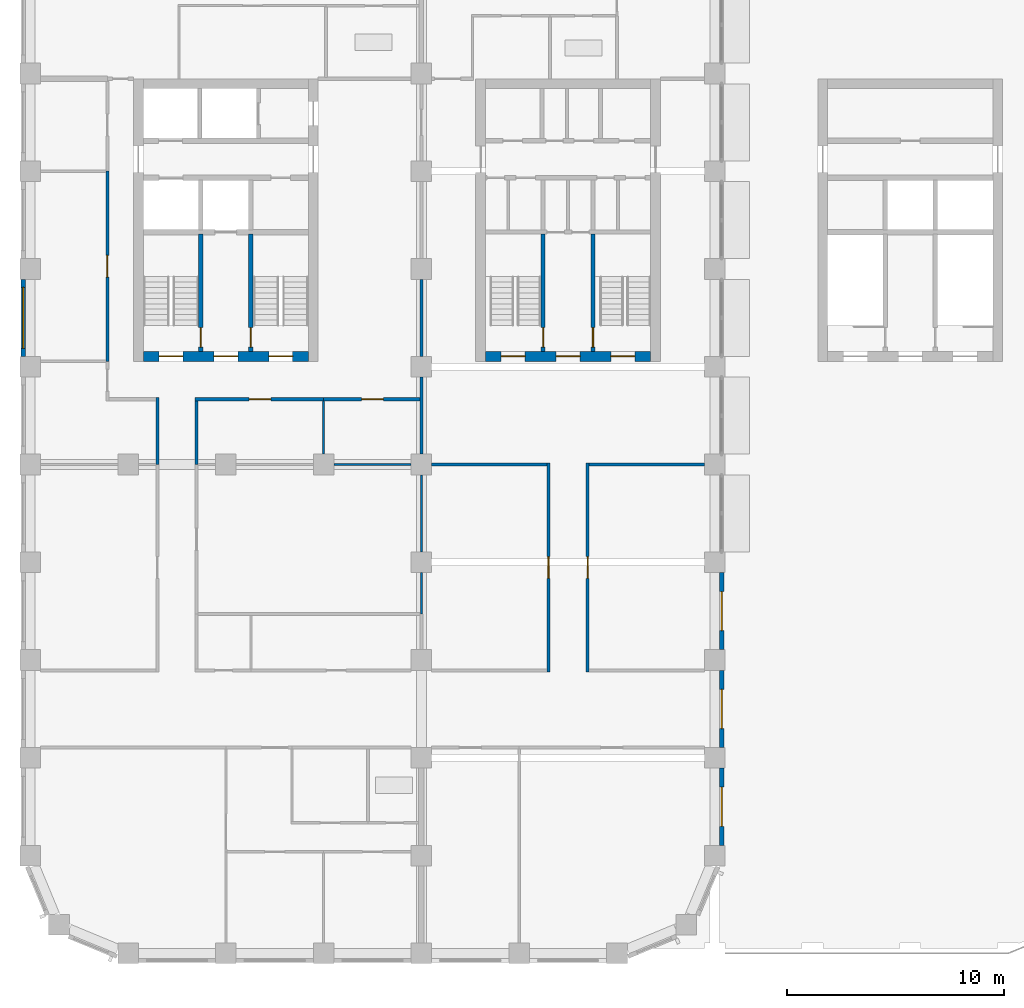
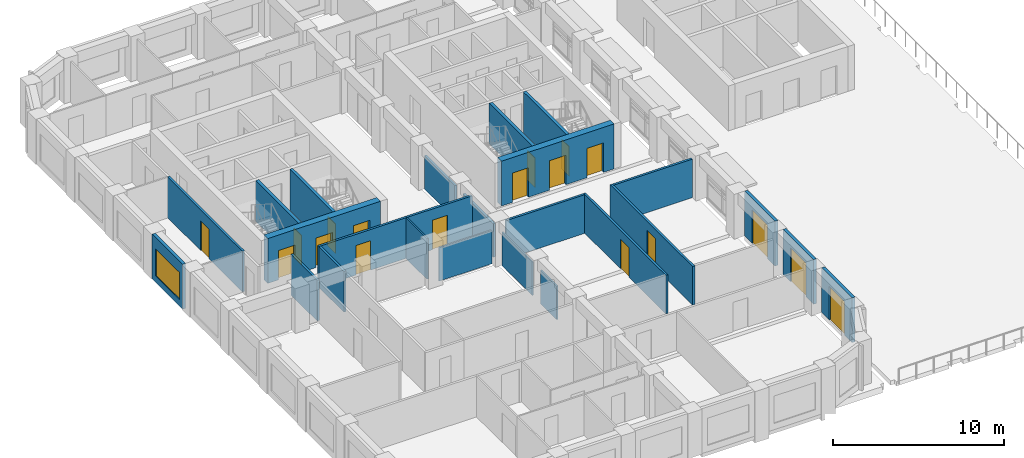
# One storey, part 8 of 15: 25 walls, 18 doors, 1 window, 19 openings.
"""IFC4 building model written with IfcOpenShell, lengths in metres."""

from ifc_helpers import new_model, si_unit, direction, frame, frame_2d, origin, place, context, subcontext, project, spatial, rectangle, extrude, material, layer, layer_set, type_object, element, fill, save


model = new_model("IFC4")

# Units and contexts
model_context = context("Model", 3, precision=1e-05, world=origin(), true_north=direction((0.0, 1.0)))
body_context = subcontext(model_context, "Body", "Model", "MODEL_VIEW")
ifc_project = project(units=[si_unit("LENGTHUNIT", "METRE"), si_unit("AREAUNIT", "SQUARE_METRE"), si_unit("VOLUMEUNIT", "CUBIC_METRE"), si_unit("PLANEANGLEUNIT", "RADIAN"), si_unit("MASSUNIT", "GRAM", prefix="KILO")], contexts=[model_context])

# Site, building, storey
site_placement = place(None, origin())
site = spatial("IfcSite", under=ifc_project, at=site_placement, CompositionType="ELEMENT")
building_placement = place(site_placement, origin())
building = spatial("IfcBuilding", under=site, at=building_placement, Name="Girih Gate Residences", CompositionType="ELEMENT")
storey_placement = place(building_placement, frame((0.0, 0.0, 176.300048828125)))
storey = spatial("IfcBuildingStorey", under=building, at=storey_placement, Name="L48", CompositionType="ELEMENT", Elevation=176.300048828125)

# Walls
ifc_material_1 = material(Name="Gypsum board on steel studs", Category="steel")
ifc_layer_1 = layer(ifc_material_1, 0.14990234375)
ifc_layer_set_1 = layer_set([ifc_layer_1], Name="Compartment wall 150 mm")
wall_type_1 = type_object("IfcWallType", Name="Compartment wall 150 mm", PredefinedType="PARTITIONING", material=ifc_layer_set_1)
for number, where, z_axis, x_axis, name in (
    (1, (18.47509765625, 22.5, 0.0), (0.0, 0.0, 1.0), (1.0, 0.0, 0.0), "L48 partition"),
    (2, (25.72509765625, 22.5, 0.0), (0.0, 0.0, 1.0), (1.0, 0.0, 0.0), "L48 partition"),
):
    element("IfcWall", number, at=place(storey_placement, frame(where, z_axis=z_axis, x_axis=x_axis)), inside=storey, type_object=wall_type_1, Name=name, PredefinedType="PARTITIONING", context=body_context, shape_type="SweptSolid", body=[
        extrude(rectangle(XDim=5.2998046875, YDim=0.14990234375, at=frame_2d((2.64990234375, 0.0))), origin(), (0.0, 0.0, 1.0), 2.75),
    ])
for number, where, z_axis, x_axis, name in (
    (3, (18.0, 27.47509765625, 0.0), (0.0, 0.0, 1.0), (0.0, 1.0, 0.0), "L48 partition"),
    (4, (18.0, 22.97509765625, 0.0), (0.0, 0.0, 1.0), (0.0, 1.0, 0.0), "L48 partition"),
):
    element("IfcWall", number, at=place(storey_placement, frame(where, z_axis=z_axis, x_axis=x_axis)), inside=storey, type_object=wall_type_1, Name=name, PredefinedType="PARTITIONING", context=body_context, shape_type="SweptSolid", body=[
        extrude(rectangle(XDim=3.5498046875, YDim=0.14990234375, at=frame_2d((1.77490234375, 0.0))), origin(), (0.0, 0.0, 1.0), 2.3798828125),
    ])

# Wall, opening, door
wall_1_placement = place(storey_placement, frame((23.85009765625, 12.949951171875, 0.0), z_axis=(0.0, 0.0, 1.0), x_axis=(0.0, 1.0, 0.0)))
wall_1 = element("IfcWall", 5, at=wall_1_placement, inside=storey, type_object=wall_type_1, Name="L48 partition", PredefinedType="PARTITIONING", context=body_context, shape_type="SweptSolid", body=[
    extrude(rectangle(XDim=9.625, YDim=0.14990234375, at=frame_2d((4.8125, 0.0))), origin(), (0.0, 0.0, 1.0), 2.75),
])
opening_1_placement = place(wall_1_placement, frame((4.3125, 0.0, 0.0)))
opening_1 = element("IfcOpeningElement", 6, at=opening_1_placement, cuts=wall_1, Name="Opening A48-024", PredefinedType="OPENING", context=body_context, shape_type="SweptSolid", body=[
    extrude(rectangle(XDim=1.0, YDim=2.10009765625, at=frame_2d((0.5, 1.050048828125))), frame((0.0, 0.0849609375, 0.0), z_axis=(0.0, -1.0, 0.0), x_axis=(1.0, 0.0, 0.0)), (0.0, 0.0, 1.0), 0.169921875),
])
ifc_material_2 = material(Name="Timber, fire-rated core", Category="wood")
door_type_1 = type_object("IfcDoorType", Name="Amenity room door 1000x2100 FD30S", OperationType="NOTDEFINED", PredefinedType="DOOR", material=ifc_material_2)
door_1_placement = place(opening_1_placement, origin())
door_1 = element("IfcDoor", 7, at=door_1_placement, inside=storey, type_object=door_type_1, Name="Door A48-024", OperationType="SINGLE_SWING_RIGHT", OverallHeight=2.10009765625, OverallWidth=1.0, PredefinedType="DOOR", context=body_context, shape_type="SweptSolid", body=[
    extrude(rectangle(XDim=1.0, YDim=2.10009765625, at=frame_2d((0.5, 1.050048828125))), frame((0.0, 0.02490234375, 0.0), z_axis=(0.0, -1.0, 0.0), x_axis=(1.0, 0.0, 0.0)), (0.0, 0.0, 1.0), 0.050048828125),
])
fill(opening_1, door_1)

wall_2_placement = place(storey_placement, frame((25.64990234375, 22.574951171875, 0.0), z_axis=(0.0, 0.0, 1.0), x_axis=(0.0, -1.0, 0.0)))
wall_2 = element("IfcWall", 8, at=wall_2_placement, inside=storey, type_object=wall_type_1, Name="L48 partition", PredefinedType="PARTITIONING", context=body_context, shape_type="SweptSolid", body=[
    extrude(rectangle(XDim=9.625, YDim=0.14990234375, at=frame_2d((4.8125, 0.0))), origin(), (0.0, 0.0, 1.0), 2.75),
])
opening_2_placement = place(wall_2_placement, frame((4.3125, 0.0, 0.0)))
opening_2 = element("IfcOpeningElement", 9, at=opening_2_placement, cuts=wall_2, Name="Opening A48-025", PredefinedType="OPENING", context=body_context, shape_type="SweptSolid", body=[
    extrude(rectangle(XDim=1.0, YDim=2.10009765625, at=frame_2d((0.5, 1.050048828125))), frame((0.0, 0.0849609375, 0.0), z_axis=(0.0, -1.0, 0.0), x_axis=(1.0, 0.0, 0.0)), (0.0, 0.0, 1.0), 0.169921875),
])
door_2_placement = place(opening_2_placement, origin())
door_2 = element("IfcDoor", 10, at=door_2_placement, inside=storey, type_object=door_type_1, Name="Door A48-025", OperationType="SINGLE_SWING_RIGHT", OverallHeight=2.10009765625, OverallWidth=1.0, PredefinedType="DOOR", context=body_context, shape_type="SweptSolid", body=[
    extrude(rectangle(XDim=1.0, YDim=2.10009765625, at=frame_2d((0.5, 1.050048828125))), frame((0.0, 0.02490234375, 0.0), z_axis=(0.0, -1.0, 0.0), x_axis=(1.0, 0.0, 0.0)), (0.0, 0.0, 1.0), 0.050048828125),
])
fill(opening_2, door_2)

# Wall
wall_3_placement = place(storey_placement, frame((5.85009765625, 22.5, 0.0), z_axis=(0.0, 0.0, 1.0), x_axis=(0.0, 1.0, 0.0)))
element("IfcWall", 11, at=wall_3_placement, inside=storey, type_object=wall_type_1, Name="L48 partition", PredefinedType="PARTITIONING", context=body_context, shape_type="SweptSolid", body=[
    extrude(rectangle(XDim=3.074951171875, YDim=0.14990234375, at=frame_2d((1.53759765625, 0.0))), origin(), (0.0, 0.0, 1.0), 2.89990234375),
])

# Wall, opening, door
wall_4_placement = place(storey_placement, frame((13.5, 25.5, 0.0), z_axis=(0.0, 0.0, 1.0), x_axis=(-1.0, 0.0, 0.0)))
wall_4 = element("IfcWall", 12, at=wall_4_placement, inside=storey, type_object=wall_type_1, Name="L48 partition", PredefinedType="PARTITIONING", context=body_context, shape_type="SweptSolid", body=[
    extrude(rectangle(XDim=5.925048828125, YDim=0.14990234375, at=frame_2d((2.96240234375, 0.0))), origin(), (0.0, 0.0, 1.0), 2.89990234375),
])
opening_3_placement = place(wall_4_placement, frame((2.425048828125, 0.0, 0.0)))
opening_3 = element("IfcOpeningElement", 13, at=opening_3_placement, cuts=wall_4, Name="Opening A48-029", PredefinedType="OPENING", context=body_context, shape_type="SweptSolid", body=[
    extrude(rectangle(XDim=1.0, YDim=2.10009765625, at=frame_2d((0.5, 1.050048828125))), frame((0.0, 0.0849609375, 0.0), z_axis=(0.0, -1.0, 0.0), x_axis=(1.0, 0.0, 0.0)), (0.0, 0.0, 1.0), 0.169921875),
])
door_3_placement = place(opening_3_placement, origin())
door_3 = element("IfcDoor", 14, at=door_3_placement, inside=storey, type_object=door_type_1, Name="Door A48-029", OperationType="SINGLE_SWING_LEFT", OverallHeight=2.10009765625, OverallWidth=1.0, PredefinedType="DOOR", context=body_context, shape_type="SweptSolid", body=[
    extrude(rectangle(XDim=1.0, YDim=2.10009765625, at=frame_2d((0.5, 1.050048828125))), frame((0.0, 0.02490234375, 0.0), z_axis=(0.0, -1.0, 0.0), x_axis=(1.0, 0.0, 0.0)), (0.0, 0.0, 1.0), 0.050048828125),
])
fill(opening_3, door_3)

# Wall
wall_5_placement = place(storey_placement, frame((7.64990234375, 22.5, 0.0), z_axis=(0.0, 0.0, 1.0), x_axis=(0.0, 1.0, 0.0)))
element("IfcWall", 15, at=wall_5_placement, inside=storey, type_object=wall_type_1, Name="L48 partition", PredefinedType="PARTITIONING", context=body_context, shape_type="SweptSolid", body=[
    extrude(rectangle(XDim=2.925048828125, YDim=0.14990234375, at=frame_2d((1.46240234375, 0.0))), origin(), (0.0, 0.0, 1.0), 2.89990234375),
])

# Wall, opening, door
wall_6_placement = place(storey_placement, frame((17.925048828125, 25.5, 0.0), z_axis=(0.0, 0.0, 1.0), x_axis=(-1.0, 0.0, 0.0)))
wall_6 = element("IfcWall", 16, at=wall_6_placement, inside=storey, type_object=wall_type_1, Name="L48 partition", PredefinedType="PARTITIONING", context=body_context, shape_type="SweptSolid", body=[
    extrude(rectangle(XDim=4.425048828125, YDim=0.14990234375, at=frame_2d((2.21240234375, 0.0))), origin(), (0.0, 0.0, 1.0), 2.89990234375),
])
opening_4_placement = place(wall_6_placement, frame((1.675048828125, 0.0, 0.0)))
opening_4 = element("IfcOpeningElement", 17, at=opening_4_placement, cuts=wall_6, Name="Opening A48-030", PredefinedType="OPENING", context=body_context, shape_type="SweptSolid", body=[
    extrude(rectangle(XDim=1.0, YDim=2.10009765625, at=frame_2d((0.5, 1.050048828125))), frame((0.0, 0.0849609375, 0.0), z_axis=(0.0, -1.0, 0.0), x_axis=(1.0, 0.0, 0.0)), (0.0, 0.0, 1.0), 0.169921875),
])
door_4_placement = place(opening_4_placement, origin())
door_4 = element("IfcDoor", 18, at=door_4_placement, inside=storey, type_object=door_type_1, Name="Door A48-030", OperationType="SINGLE_SWING_LEFT", OverallHeight=2.10009765625, OverallWidth=1.0, PredefinedType="DOOR", context=body_context, shape_type="SweptSolid", body=[
    extrude(rectangle(XDim=1.0, YDim=2.10009765625, at=frame_2d((0.5, 1.050048828125))), frame((0.0, 0.02490234375, 0.0), z_axis=(0.0, -1.0, 0.0), x_axis=(1.0, 0.0, 0.0)), (0.0, 0.0, 1.0), 0.050048828125),
])
fill(opening_4, door_4)

wall_7_placement = place(storey_placement, frame((3.550048828125, 27.25, 0.0), z_axis=(0.0, 0.0, 1.0), x_axis=(0.0, 1.0, 0.0)))
wall_7 = element("IfcWall", 19, at=wall_7_placement, inside=storey, type_object=wall_type_1, Name="L48 partition", PredefinedType="PARTITIONING", context=body_context, shape_type="SweptSolid", body=[
    extrude(rectangle(XDim=8.75, YDim=0.14990234375, at=frame_2d((4.375, 0.0))), origin(), (0.0, 0.0, 1.0), 2.89990234375),
])
opening_5_placement = place(wall_7_placement, frame((3.875, 0.0, 0.0)))
opening_5 = element("IfcOpeningElement", 20, at=opening_5_placement, cuts=wall_7, Name="Opening A48-031", PredefinedType="OPENING", context=body_context, shape_type="SweptSolid", body=[
    extrude(rectangle(XDim=1.0, YDim=2.10009765625, at=frame_2d((0.5, 1.050048828125))), frame((0.0, 0.0849609375, 0.0), z_axis=(0.0, -1.0, 0.0), x_axis=(1.0, 0.0, 0.0)), (0.0, 0.0, 1.0), 0.169921875),
])
door_5_placement = place(opening_5_placement, origin())
door_5 = element("IfcDoor", 21, at=door_5_placement, inside=storey, type_object=door_type_1, Name="Door A48-031", OperationType="SINGLE_SWING_RIGHT", OverallHeight=2.10009765625, OverallWidth=1.0, PredefinedType="DOOR", context=body_context, shape_type="SweptSolid", body=[
    extrude(rectangle(XDim=1.0, YDim=2.10009765625, at=frame_2d((0.5, 1.050048828125))), frame((0.0, 0.02490234375, 0.0), z_axis=(0.0, -1.0, 0.0), x_axis=(1.0, 0.0, 0.0)), (0.0, 0.0, 1.0), 0.050048828125),
])
fill(opening_5, door_5)

# Wall, openings, doors
ifc_material_3 = material(Name="Concrete C60/75", Category="concrete")
ifc_layer_2 = layer(ifc_material_3, 0.449951171875)
ifc_layer_set_2 = layer_set([ifc_layer_2], Name="Core wall RC 450 Concrete C60/75")
wall_type_2 = type_object("IfcWallType", Name="Core wall RC 450 Concrete C60/75", PredefinedType="SOLIDWALL", material=ifc_layer_set_2)
wall_8_placement = place(storey_placement, frame((5.199951171875, 27.47509765625, 0.0), z_axis=(0.0, 0.0, 1.0), x_axis=(1.0, 0.0, 0.0)))
wall_8 = element("IfcWall", 22, at=wall_8_placement, inside=storey, type_object=wall_type_2, Name="Core wall W-S L48", PredefinedType="SOLIDWALL", context=body_context, shape_type="SweptSolid", body=[
    extrude(rectangle(XDim=7.60009765625, YDim=0.449951171875, at=frame_2d((3.800048828125, 0.0))), origin(), (0.0, 0.0, 1.0), 3.199951171875),
])
opening_6_placement = place(wall_8_placement, frame((0.72509765625, 0.0, 0.0)))
opening_6 = element("IfcOpeningElement", 23, at=opening_6_placement, cuts=wall_8, Name="Opening D-L48-W-008", PredefinedType="OPENING", context=body_context, shape_type="SweptSolid", body=[
    extrude(rectangle(XDim=1.10009765625, YDim=2.10009765625, at=frame_2d((0.550048828125, 1.050048828125))), frame((0.0, 0.23486328125, 0.0), z_axis=(0.0, -1.0, 0.0), x_axis=(1.0, 0.0, 0.0)), (0.0, 0.0, 1.0), 0.469970703125),
])
opening_7_placement = place(wall_8_placement, frame((3.25, 0.0, 0.0)))
opening_7 = element("IfcOpeningElement", 24, at=opening_7_placement, cuts=wall_8, Name="Opening D-L48-W-009", PredefinedType="OPENING", context=body_context, shape_type="SweptSolid", body=[
    extrude(rectangle(XDim=1.10009765625, YDim=2.10009765625, at=frame_2d((0.550048828125, 1.050048828125))), frame((0.0, 0.23486328125, 0.0), z_axis=(0.0, -1.0, 0.0), x_axis=(1.0, 0.0, 0.0)), (0.0, 0.0, 1.0), 0.469970703125),
])
opening_8_placement = place(wall_8_placement, frame((5.77490234375, 0.0, 0.0)))
opening_8 = element("IfcOpeningElement", 25, at=opening_8_placement, cuts=wall_8, Name="Opening D-L48-W-010", PredefinedType="OPENING", context=body_context, shape_type="SweptSolid", body=[
    extrude(rectangle(XDim=1.10009765625, YDim=2.10009765625, at=frame_2d((0.550048828125, 1.050048828125))), frame((0.0, 0.23486328125, 0.0), z_axis=(0.0, -1.0, 0.0), x_axis=(1.0, 0.0, 0.0)), (0.0, 0.0, 1.0), 0.469970703125),
])
ifc_material_4 = material(Name="Painted steel, fire-resisting", Category="steel")
door_type_2 = type_object("IfcDoorType", Name="Fire door 1100x2100", OperationType="SINGLE_SWING_LEFT", PredefinedType="DOOR", material=ifc_material_4)
door_6_placement = place(opening_6_placement, origin())
door_6 = element("IfcDoor", 26, at=door_6_placement, inside=storey, type_object=door_type_2, Name="L48 W core door sta-out", OperationType="SINGLE_SWING_LEFT", OverallHeight=2.10009765625, OverallWidth=1.10009765625, PredefinedType="DOOR", context=body_context, shape_type="SweptSolid", body=[
    extrude(rectangle(XDim=1.10009765625, YDim=2.10009765625, at=frame_2d((0.550048828125, 1.050048828125))), frame((0.0, 0.02490234375, 0.0), z_axis=(0.0, -1.0, 0.0), x_axis=(1.0, 0.0, 0.0)), (0.0, 0.0, 1.0), 0.050048828125),
])
fill(opening_6, door_6)
door_7_placement = place(opening_7_placement, origin())
door_7 = element("IfcDoor", 27, at=door_7_placement, inside=storey, type_object=door_type_2, Name="L48 W core door ffl-out", OperationType="SINGLE_SWING_LEFT", OverallHeight=2.10009765625, OverallWidth=1.10009765625, PredefinedType="DOOR", context=body_context, shape_type="SweptSolid", body=[
    extrude(rectangle(XDim=1.10009765625, YDim=2.10009765625, at=frame_2d((0.550048828125, 1.050048828125))), frame((0.0, 0.02490234375, 0.0), z_axis=(0.0, -1.0, 0.0), x_axis=(1.0, 0.0, 0.0)), (0.0, 0.0, 1.0), 0.050048828125),
])
fill(opening_7, door_7)
door_8_placement = place(opening_8_placement, origin())
door_8 = element("IfcDoor", 28, at=door_8_placement, inside=storey, type_object=door_type_2, Name="L48 W core door stb-out", OperationType="SINGLE_SWING_LEFT", OverallHeight=2.10009765625, OverallWidth=1.10009765625, PredefinedType="DOOR", context=body_context, shape_type="SweptSolid", body=[
    extrude(rectangle(XDim=1.10009765625, YDim=2.10009765625, at=frame_2d((0.550048828125, 1.050048828125))), frame((0.0, 0.02490234375, 0.0), z_axis=(0.0, -1.0, 0.0), x_axis=(1.0, 0.0, 0.0)), (0.0, 0.0, 1.0), 0.050048828125),
])
fill(opening_8, door_8)

# Walls
ifc_layer_3 = layer(ifc_material_1, 0.10009765625)
ifc_layer_set_3 = layer_set([ifc_layer_3], Name="Partition 100 mm")
wall_type_3 = type_object("IfcWallType", Name="Partition 100 mm", PredefinedType="PARTITIONING", material=ifc_layer_set_3)
wall_9_placement = place(storey_placement, frame((18.0, 18.47509765625, 0.0), z_axis=(0.0, 0.0, 1.0), x_axis=(0.0, 1.0, 0.0)))
element("IfcWall", 29, at=wall_9_placement, inside=storey, type_object=wall_type_3, Name="L48 partition", PredefinedType="PARTITIONING", context=body_context, shape_type="SweptSolid", body=[
    extrude(rectangle(XDim=3.5498046875, YDim=0.10009765625, at=frame_2d((1.77490234375, 0.0))), origin(), (0.0, 0.0, 1.0), 2.3798828125),
])
wall_10_placement = place(storey_placement, frame((18.0, 15.625, 0.0), z_axis=(0.0, 0.0, 1.0), x_axis=(0.0, 1.0, 0.0)))
element("IfcWall", 30, at=wall_10_placement, inside=storey, type_object=wall_type_3, Name="L48 partition", PredefinedType="PARTITIONING", context=body_context, shape_type="SweptSolid", body=[
    extrude(rectangle(XDim=1.89990234375, YDim=0.10009765625, at=frame_2d((0.949951171875, 0.0))), origin(), (0.0, 0.0, 1.0), 2.3798828125),
])
wall_11_placement = place(storey_placement, frame((13.97509765625, 22.5, 0.0), z_axis=(0.0, 0.0, 1.0), x_axis=(1.0, 0.0, 0.0)))
element("IfcWall", 31, at=wall_11_placement, inside=storey, type_object=wall_type_3, Name="L48 partition", PredefinedType="PARTITIONING", context=body_context, shape_type="SweptSolid", body=[
    extrude(rectangle(XDim=3.5498046875, YDim=0.10009765625, at=frame_2d((1.77490234375, 0.0))), origin(), (0.0, 0.0, 1.0), 2.3798828125),
])
wall_12_placement = place(storey_placement, frame((13.5, 22.97509765625, 0.0), z_axis=(0.0, 0.0, 1.0), x_axis=(0.0, 1.0, 0.0)))
element("IfcWall", 32, at=wall_12_placement, inside=storey, type_object=wall_type_3, Name="L48 partition", PredefinedType="PARTITIONING", context=body_context, shape_type="SweptSolid", body=[
    extrude(rectangle(XDim=2.449951171875, YDim=0.10009765625, at=frame_2d((1.22509765625, 0.0))), origin(), (0.0, 0.0, 1.0), 2.89990234375),
])

# Wall, opening, door
ifc_material_5 = material(Name="Precast concrete C50/60", Category="concrete")
ifc_layer_4 = layer(ifc_material_5, 0.06005859375, Name="Outer leaf")
ifc_material_6 = material(Name="Rigid PIR insulation")
ifc_layer_5 = layer(ifc_material_6, 0.090087890625, Name="Insulation")
ifc_material_7 = material(Name="Precast concrete C40/50", Category="concrete")
ifc_layer_6 = layer(ifc_material_7, 0.050048828125, Name="Inner leaf")
ifc_layer_set_4 = layer_set([ifc_layer_4, ifc_layer_5, ifc_layer_6], Name="Precast concrete C50/60 external wall 200")
wall_type_4 = type_object("IfcWallType", Name="Precast concrete C50/60 external wall 200", PredefinedType="SOLIDWALL", material=ifc_layer_set_4)
wall_13_placement = place(storey_placement, frame((31.824951171875, 8.52490234375, 0.0), z_axis=(0.0, 0.0, 1.0), x_axis=(0.0, -1.0, 0.0)))
wall_13 = element("IfcWall", 33, at=wall_13_placement, inside=storey, type_object=wall_type_4, Name="External wall E0315_0045.0", PredefinedType="SOLIDWALL", context=body_context, shape_type="SweptSolid", body=[
    extrude(rectangle(XDim=3.5498046875, YDim=0.199951171875, at=frame_2d((1.77490234375, 0.0))), origin(), (0.0, 0.0, 1.0), 3.199951171875),
])
opening_9_placement = place(wall_13_placement, frame((0.875, 0.0, 0.0)))
opening_9 = element("IfcOpeningElement", 34, at=opening_9_placement, cuts=wall_13, Name="Opening TD-1", PredefinedType="OPENING", context=body_context, shape_type="SweptSolid", body=[
    extrude(rectangle(XDim=1.800048828125, YDim=2.39990234375, at=frame_2d((0.89990234375, 1.199951171875))), frame((0.0, 0.10986328125, 0.0), z_axis=(0.0, -1.0, 0.0), x_axis=(1.0, 0.0, 0.0)), (0.0, 0.0, 1.0), 0.219970703125),
])
ifc_material_8 = material(Name="Aluminium and glass terrace door", Category="aluminium")
door_type_3 = type_object("IfcDoorType", Name="Terrace door pair 1800x2400", OperationType="DOUBLE_DOOR_SINGLE_SWING", PredefinedType="DOOR", material=ifc_material_8)
door_9_placement = place(opening_9_placement, origin())
door_9 = element("IfcDoor", 35, at=door_9_placement, inside=storey, type_object=door_type_3, Name="Terrace door E0315_0045.0", OperationType="DOUBLE_DOOR_SINGLE_SWING", OverallHeight=2.39990234375, OverallWidth=1.800048828125, PredefinedType="DOOR", context=body_context, shape_type="SweptSolid", body=[
    extrude(rectangle(XDim=1.800048828125, YDim=2.39990234375, at=frame_2d((0.89990234375, 1.199951171875))), frame((0.0, 0.02490234375, 0.0), z_axis=(0.0, -1.0, 0.0), x_axis=(1.0, 0.0, 0.0)), (0.0, 0.0, 1.0), 0.050048828125),
])
fill(opening_9, door_9)

wall_14_placement = place(storey_placement, frame((31.824951171875, 13.02490234375, 0.0), z_axis=(0.0, 0.0, 1.0), x_axis=(0.0, -1.0, 0.0)))
wall_14 = element("IfcWall", 36, at=wall_14_placement, inside=storey, type_object=wall_type_4, Name="External wall E0315_0045.1", PredefinedType="SOLIDWALL", context=body_context, shape_type="SweptSolid", body=[
    extrude(rectangle(XDim=3.5498046875, YDim=0.199951171875, at=frame_2d((1.77490234375, 0.0))), origin(), (0.0, 0.0, 1.0), 3.199951171875),
])
opening_10_placement = place(wall_14_placement, frame((0.875, 0.0, 0.0)))
opening_10 = element("IfcOpeningElement", 37, at=opening_10_placement, cuts=wall_14, Name="Opening TD-1", PredefinedType="OPENING", context=body_context, shape_type="SweptSolid", body=[
    extrude(rectangle(XDim=1.800048828125, YDim=2.39990234375, at=frame_2d((0.89990234375, 1.199951171875))), frame((0.0, 0.10986328125, 0.0), z_axis=(0.0, -1.0, 0.0), x_axis=(1.0, 0.0, 0.0)), (0.0, 0.0, 1.0), 0.219970703125),
])
door_10_placement = place(opening_10_placement, origin())
door_10 = element("IfcDoor", 38, at=door_10_placement, inside=storey, type_object=door_type_3, Name="Terrace door E0315_0045.1", OperationType="DOUBLE_DOOR_SINGLE_SWING", OverallHeight=2.39990234375, OverallWidth=1.800048828125, PredefinedType="DOOR", context=body_context, shape_type="SweptSolid", body=[
    extrude(rectangle(XDim=1.800048828125, YDim=2.39990234375, at=frame_2d((0.89990234375, 1.199951171875))), frame((0.0, 0.02490234375, 0.0), z_axis=(0.0, -1.0, 0.0), x_axis=(1.0, 0.0, 0.0)), (0.0, 0.0, 1.0), 0.050048828125),
])
fill(opening_10, door_10)

wall_15_placement = place(storey_placement, frame((31.824951171875, 17.52490234375, 0.0), z_axis=(0.0, 0.0, 1.0), x_axis=(0.0, -1.0, 0.0)))
wall_15 = element("IfcWall", 39, at=wall_15_placement, inside=storey, type_object=wall_type_4, Name="External wall E0315_0045.2", PredefinedType="SOLIDWALL", context=body_context, shape_type="SweptSolid", body=[
    extrude(rectangle(XDim=3.5498046875, YDim=0.199951171875, at=frame_2d((1.77490234375, 0.0))), origin(), (0.0, 0.0, 1.0), 3.199951171875),
])
opening_11_placement = place(wall_15_placement, frame((0.875, 0.0, 0.0)))
opening_11 = element("IfcOpeningElement", 40, at=opening_11_placement, cuts=wall_15, Name="Opening TD-1", PredefinedType="OPENING", context=body_context, shape_type="SweptSolid", body=[
    extrude(rectangle(XDim=1.800048828125, YDim=2.39990234375, at=frame_2d((0.89990234375, 1.199951171875))), frame((0.0, 0.10986328125, 0.0), z_axis=(0.0, -1.0, 0.0), x_axis=(1.0, 0.0, 0.0)), (0.0, 0.0, 1.0), 0.219970703125),
])
door_11_placement = place(opening_11_placement, origin())
door_11 = element("IfcDoor", 41, at=door_11_placement, inside=storey, type_object=door_type_3, Name="Terrace door E0315_0045.2", OperationType="DOUBLE_DOOR_SINGLE_SWING", OverallHeight=2.39990234375, OverallWidth=1.800048828125, PredefinedType="DOOR", context=body_context, shape_type="SweptSolid", body=[
    extrude(rectangle(XDim=1.800048828125, YDim=2.39990234375, at=frame_2d((0.89990234375, 1.199951171875))), frame((0.0, 0.02490234375, 0.0), z_axis=(0.0, -1.0, 0.0), x_axis=(1.0, 0.0, 0.0)), (0.0, 0.0, 1.0), 0.050048828125),
])
fill(opening_11, door_11)

# Wall, opening, window
wall_16_placement = place(storey_placement, frame((-0.324951171875, 27.47509765625, 0.0), z_axis=(0.0, 0.0, 1.0), x_axis=(0.0, 1.0, 0.0)))
wall_16 = element("IfcWall", 42, at=wall_16_placement, inside=storey, type_object=wall_type_4, Name="External wall W0000_0450.3", PredefinedType="SOLIDWALL", context=body_context, shape_type="SweptSolid", body=[
    extrude(rectangle(XDim=3.5498046875, YDim=0.199951171875, at=frame_2d((1.77490234375, 0.0))), origin(), (0.0, 0.0, 1.0), 3.199951171875),
])
opening_12_placement = place(wall_16_placement, frame((0.375, 0.0, 0.449951171875)))
opening_12 = element("IfcOpeningElement", 43, at=opening_12_placement, cuts=wall_16, Name="Opening W-1B", PredefinedType="OPENING", context=body_context, shape_type="SweptSolid", body=[
    extrude(rectangle(XDim=2.800048828125, YDim=1.949951171875, at=frame_2d((1.39990234375, 0.97509765625))), frame((0.0, 0.10986328125, 0.0), z_axis=(0.0, -1.0, 0.0), x_axis=(1.0, 0.0, 0.0)), (0.0, 0.0, 1.0), 0.219970703125),
])
ifc_material_9 = material(Name="Double glazing in aluminium frame", Category="aluminium")
window_type = type_object("IfcWindowType", Name="Window W-1B 2800x1950", PartitioningType="SINGLE_PANEL", PredefinedType="WINDOW", material=ifc_material_9)
window_placement = place(opening_12_placement, origin())
window = element("IfcWindow", 44, at=window_placement, inside=storey, type_object=window_type, Name="Window W-1B W0000_0450.3", OverallHeight=1.949951171875, OverallWidth=2.800048828125, PartitioningType="SINGLE_PANEL", PredefinedType="WINDOW", context=body_context, shape_type="SweptSolid", body=[
    extrude(rectangle(XDim=2.800048828125, YDim=1.949951171875, at=frame_2d((1.39990234375, 0.97509765625))), frame((0.0, 0.030029296875, 0.0), z_axis=(0.0, -1.0, 0.0), x_axis=(1.0, 0.0, 0.0)), (0.0, 0.0, 1.0), 0.06005859375),
])
fill(opening_12, window)

# Wall, opening, door
ifc_material_10 = material(Name="Concrete C40/50", Category="concrete")
ifc_layer_7 = layer(ifc_material_10, 0.199951171875)
ifc_layer_set_5 = layer_set([ifc_layer_7], Name="Shaft wall 200")
wall_type_5 = type_object("IfcWallType", Name="Shaft wall 200", PredefinedType="SOLIDWALL", material=ifc_layer_set_5)
wall_17_placement = place(storey_placement, frame((7.85009765625, 27.699951171875, 0.0), z_axis=(0.0, 0.0, 1.0), x_axis=(0.0, 1.0, 0.0)))
wall_17 = element("IfcWall", 45, at=wall_17_placement, inside=storey, type_object=wall_type_5, Name="L48 W core wall V1a", PredefinedType="SOLIDWALL", context=body_context, shape_type="SweptSolid", body=[
    extrude(rectangle(XDim=5.400146484375, YDim=0.199951171875, at=frame_2d((2.7001953125, 0.0))), origin(), (0.0, 0.0, 1.0), 2.89990234375),
])
opening_13_placement = place(wall_17_placement, frame((0.199951171875, 0.0, 0.0)))
opening_13 = element("IfcOpeningElement", 46, at=opening_13_placement, cuts=wall_17, Name="Opening D-L48-W-001", PredefinedType="OPENING", context=body_context, shape_type="SweptSolid", body=[
    extrude(rectangle(XDim=0.89990234375, YDim=2.10009765625, at=frame_2d((0.449951171875, 1.050048828125))), frame((0.0, 0.10986328125, 0.0), z_axis=(0.0, -1.0, 0.0), x_axis=(1.0, 0.0, 0.0)), (0.0, 0.0, 1.0), 0.219970703125),
])
door_type_4 = type_object("IfcDoorType", Name="Fire door 900x2100", OperationType="SINGLE_SWING_LEFT", PredefinedType="DOOR", material=ifc_material_4)
door_12_placement = place(opening_13_placement, origin())
door_12 = element("IfcDoor", 47, at=door_12_placement, inside=storey, type_object=door_type_4, Name="L48 W door stair 1 to firefighting lobby", OperationType="SINGLE_SWING_LEFT", OverallHeight=2.10009765625, OverallWidth=0.89990234375, PredefinedType="DOOR", context=body_context, shape_type="SweptSolid", body=[
    extrude(rectangle(XDim=0.89990234375, YDim=2.10009765625, at=frame_2d((0.449951171875, 1.050048828125))), frame((0.0, 0.02490234375, 0.0), z_axis=(0.0, -1.0, 0.0), x_axis=(1.0, 0.0, 0.0)), (0.0, 0.0, 1.0), 0.050048828125),
])
fill(opening_13, door_12)

wall_18_placement = place(storey_placement, frame((10.14990234375, 27.699951171875, 0.0), z_axis=(0.0, 0.0, 1.0), x_axis=(0.0, 1.0, 0.0)))
wall_18 = element("IfcWall", 48, at=wall_18_placement, inside=storey, type_object=wall_type_5, Name="L48 W core wall V2a", PredefinedType="SOLIDWALL", context=body_context, shape_type="SweptSolid", body=[
    extrude(rectangle(XDim=5.400146484375, YDim=0.199951171875, at=frame_2d((2.7001953125, 0.0))), origin(), (0.0, 0.0, 1.0), 2.89990234375),
])
opening_14_placement = place(wall_18_placement, frame((0.199951171875, 0.0, 0.0)))
opening_14 = element("IfcOpeningElement", 49, at=opening_14_placement, cuts=wall_18, Name="Opening D-L48-W-002", PredefinedType="OPENING", context=body_context, shape_type="SweptSolid", body=[
    extrude(rectangle(XDim=0.89990234375, YDim=2.10009765625, at=frame_2d((0.449951171875, 1.050048828125))), frame((0.0, 0.10986328125, 0.0), z_axis=(0.0, -1.0, 0.0), x_axis=(1.0, 0.0, 0.0)), (0.0, 0.0, 1.0), 0.219970703125),
])
door_13_placement = place(opening_14_placement, origin())
door_13 = element("IfcDoor", 50, at=door_13_placement, inside=storey, type_object=door_type_4, Name="L48 W door stair 2 to firefighting lobby", OperationType="SINGLE_SWING_LEFT", OverallHeight=2.10009765625, OverallWidth=0.89990234375, PredefinedType="DOOR", context=body_context, shape_type="SweptSolid", body=[
    extrude(rectangle(XDim=0.89990234375, YDim=2.10009765625, at=frame_2d((0.449951171875, 1.050048828125))), frame((0.0, 0.02490234375, 0.0), z_axis=(0.0, -1.0, 0.0), x_axis=(1.0, 0.0, 0.0)), (0.0, 0.0, 1.0), 0.050048828125),
])
fill(opening_14, door_13)

wall_19_placement = place(storey_placement, frame((23.60009765625, 27.699951171875, 0.0), z_axis=(0.0, 0.0, 1.0), x_axis=(0.0, 1.0, 0.0)))
wall_19 = element("IfcWall", 51, at=wall_19_placement, inside=storey, type_object=wall_type_5, Name="L48 C core wall V1a", PredefinedType="SOLIDWALL", context=body_context, shape_type="SweptSolid", body=[
    extrude(rectangle(XDim=5.400146484375, YDim=0.199951171875, at=frame_2d((2.7001953125, 0.0))), origin(), (0.0, 0.0, 1.0), 2.89990234375),
])
opening_15_placement = place(wall_19_placement, frame((0.199951171875, 0.0, 0.0)))
opening_15 = element("IfcOpeningElement", 52, at=opening_15_placement, cuts=wall_19, Name="Opening D-L48-C-001", PredefinedType="OPENING", context=body_context, shape_type="SweptSolid", body=[
    extrude(rectangle(XDim=0.89990234375, YDim=2.10009765625, at=frame_2d((0.449951171875, 1.050048828125))), frame((0.0, 0.10986328125, 0.0), z_axis=(0.0, -1.0, 0.0), x_axis=(1.0, 0.0, 0.0)), (0.0, 0.0, 1.0), 0.219970703125),
])
door_14_placement = place(opening_15_placement, origin())
door_14 = element("IfcDoor", 53, at=door_14_placement, inside=storey, type_object=door_type_4, Name="L48 C door stair 1 to stair lobby", OperationType="SINGLE_SWING_LEFT", OverallHeight=2.10009765625, OverallWidth=0.89990234375, PredefinedType="DOOR", context=body_context, shape_type="SweptSolid", body=[
    extrude(rectangle(XDim=0.89990234375, YDim=2.10009765625, at=frame_2d((0.449951171875, 1.050048828125))), frame((0.0, 0.02490234375, 0.0), z_axis=(0.0, -1.0, 0.0), x_axis=(1.0, 0.0, 0.0)), (0.0, 0.0, 1.0), 0.050048828125),
])
fill(opening_15, door_14)

wall_20_placement = place(storey_placement, frame((25.89990234375, 27.699951171875, 0.0), z_axis=(0.0, 0.0, 1.0), x_axis=(0.0, 1.0, 0.0)))
wall_20 = element("IfcWall", 54, at=wall_20_placement, inside=storey, type_object=wall_type_5, Name="L48 C core wall V2a", PredefinedType="SOLIDWALL", context=body_context, shape_type="SweptSolid", body=[
    extrude(rectangle(XDim=5.400146484375, YDim=0.199951171875, at=frame_2d((2.7001953125, 0.0))), origin(), (0.0, 0.0, 1.0), 2.89990234375),
])
opening_16_placement = place(wall_20_placement, frame((0.199951171875, 0.0, 0.0)))
opening_16 = element("IfcOpeningElement", 55, at=opening_16_placement, cuts=wall_20, Name="Opening D-L48-C-002", PredefinedType="OPENING", context=body_context, shape_type="SweptSolid", body=[
    extrude(rectangle(XDim=0.89990234375, YDim=2.10009765625, at=frame_2d((0.449951171875, 1.050048828125))), frame((0.0, 0.10986328125, 0.0), z_axis=(0.0, -1.0, 0.0), x_axis=(1.0, 0.0, 0.0)), (0.0, 0.0, 1.0), 0.219970703125),
])
door_15_placement = place(opening_16_placement, origin())
door_15 = element("IfcDoor", 56, at=door_15_placement, inside=storey, type_object=door_type_4, Name="L48 C door stair 2 to stair lobby", OperationType="SINGLE_SWING_LEFT", OverallHeight=2.10009765625, OverallWidth=0.89990234375, PredefinedType="DOOR", context=body_context, shape_type="SweptSolid", body=[
    extrude(rectangle(XDim=0.89990234375, YDim=2.10009765625, at=frame_2d((0.449951171875, 1.050048828125))), frame((0.0, 0.02490234375, 0.0), z_axis=(0.0, -1.0, 0.0), x_axis=(1.0, 0.0, 0.0)), (0.0, 0.0, 1.0), 0.050048828125),
])
fill(opening_16, door_15)

# Wall, openings, doors
ifc_layer_8 = layer(ifc_material_10, 0.449951171875)
ifc_layer_set_6 = layer_set([ifc_layer_8], Name="Stair core wall RC 450 Concrete C40/50")
wall_type_6 = type_object("IfcWallType", Name="Stair core wall RC 450 Concrete C40/50", PredefinedType="SOLIDWALL", material=ifc_layer_set_6)
wall_21_placement = place(storey_placement, frame((20.949951171875, 27.47509765625, 0.0), z_axis=(0.0, 0.0, 1.0), x_axis=(1.0, 0.0, 0.0)))
wall_21 = element("IfcWall", 57, at=wall_21_placement, inside=storey, type_object=wall_type_6, Name="Stair core wall C-S L48", PredefinedType="SOLIDWALL", context=body_context, shape_type="SweptSolid", body=[
    extrude(rectangle(XDim=7.60009765625, YDim=0.449951171875, at=frame_2d((3.800048828125, 0.0))), origin(), (0.0, 0.0, 1.0), 3.199951171875),
])
opening_17_placement = place(wall_21_placement, frame((0.72509765625, 0.0, 0.0)))
opening_17 = element("IfcOpeningElement", 58, at=opening_17_placement, cuts=wall_21, Name="Opening D-L48-C-013", PredefinedType="OPENING", context=body_context, shape_type="SweptSolid", body=[
    extrude(rectangle(XDim=1.10009765625, YDim=2.10009765625, at=frame_2d((0.550048828125, 1.050048828125))), frame((0.0, 0.23486328125, 0.0), z_axis=(0.0, -1.0, 0.0), x_axis=(1.0, 0.0, 0.0)), (0.0, 0.0, 1.0), 0.469970703125),
])
opening_18_placement = place(wall_21_placement, frame((3.25, 0.0, 0.0)))
opening_18 = element("IfcOpeningElement", 59, at=opening_18_placement, cuts=wall_21, Name="Opening D-L48-C-014", PredefinedType="OPENING", context=body_context, shape_type="SweptSolid", body=[
    extrude(rectangle(XDim=1.10009765625, YDim=2.10009765625, at=frame_2d((0.550048828125, 1.050048828125))), frame((0.0, 0.23486328125, 0.0), z_axis=(0.0, -1.0, 0.0), x_axis=(1.0, 0.0, 0.0)), (0.0, 0.0, 1.0), 0.469970703125),
])
opening_19_placement = place(wall_21_placement, frame((5.77490234375, 0.0, 0.0)))
opening_19 = element("IfcOpeningElement", 60, at=opening_19_placement, cuts=wall_21, Name="Opening D-L48-C-015", PredefinedType="OPENING", context=body_context, shape_type="SweptSolid", body=[
    extrude(rectangle(XDim=1.10009765625, YDim=2.10009765625, at=frame_2d((0.550048828125, 1.050048828125))), frame((0.0, 0.23486328125, 0.0), z_axis=(0.0, -1.0, 0.0), x_axis=(1.0, 0.0, 0.0)), (0.0, 0.0, 1.0), 0.469970703125),
])
door_16_placement = place(opening_17_placement, origin())
door_16 = element("IfcDoor", 61, at=door_16_placement, inside=storey, type_object=door_type_2, Name="L48 C core door sta-out", OperationType="SINGLE_SWING_LEFT", OverallHeight=2.10009765625, OverallWidth=1.10009765625, PredefinedType="DOOR", context=body_context, shape_type="SweptSolid", body=[
    extrude(rectangle(XDim=1.10009765625, YDim=2.10009765625, at=frame_2d((0.550048828125, 1.050048828125))), frame((0.0, 0.02490234375, 0.0), z_axis=(0.0, -1.0, 0.0), x_axis=(1.0, 0.0, 0.0)), (0.0, 0.0, 1.0), 0.050048828125),
])
fill(opening_17, door_16)
door_17_placement = place(opening_18_placement, origin())
door_17 = element("IfcDoor", 62, at=door_17_placement, inside=storey, type_object=door_type_2, Name="L48 C core door ffl-out", OperationType="SINGLE_SWING_LEFT", OverallHeight=2.10009765625, OverallWidth=1.10009765625, PredefinedType="DOOR", context=body_context, shape_type="SweptSolid", body=[
    extrude(rectangle(XDim=1.10009765625, YDim=2.10009765625, at=frame_2d((0.550048828125, 1.050048828125))), frame((0.0, 0.02490234375, 0.0), z_axis=(0.0, -1.0, 0.0), x_axis=(1.0, 0.0, 0.0)), (0.0, 0.0, 1.0), 0.050048828125),
])
fill(opening_18, door_17)
door_18_placement = place(opening_19_placement, origin())
door_18 = element("IfcDoor", 63, at=door_18_placement, inside=storey, type_object=door_type_2, Name="L48 C core door stb-out", OperationType="SINGLE_SWING_LEFT", OverallHeight=2.10009765625, OverallWidth=1.10009765625, PredefinedType="DOOR", context=body_context, shape_type="SweptSolid", body=[
    extrude(rectangle(XDim=1.10009765625, YDim=2.10009765625, at=frame_2d((0.550048828125, 1.050048828125))), frame((0.0, 0.02490234375, 0.0), z_axis=(0.0, -1.0, 0.0), x_axis=(1.0, 0.0, 0.0)), (0.0, 0.0, 1.0), 0.050048828125),
])
fill(opening_19, door_18)

save(model, "model.ifc")
